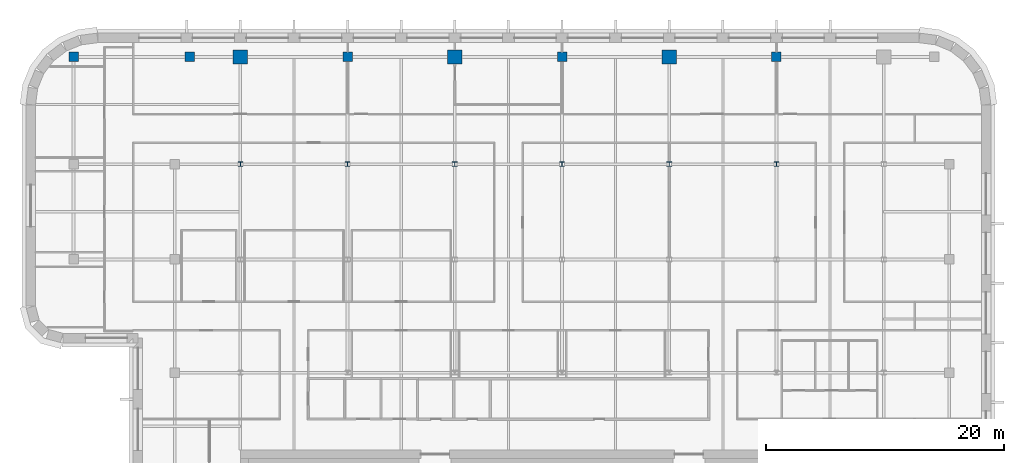
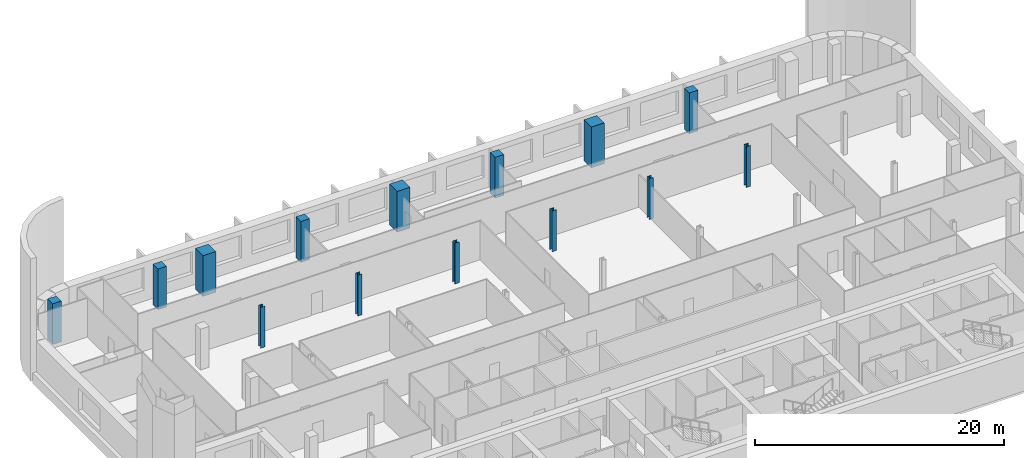
# One storey, part 3 of 17: 14 columns.
"""IFC4 building model written with IfcOpenShell, lengths in metres."""

from ifc_helpers import new_model, si_unit, direction, frame, origin, origin_2d, place, context, subcontext, project, spatial, rectangle, i_section, extrude, material, material_profile, profile_set, type_object, element, save


model = new_model("IFC4")

# Units and contexts
model_context = context("Model", 3, precision=1e-05, world=origin(), true_north=direction((0.0, 1.0)))
body_context = subcontext(model_context, "Body", "Model", "MODEL_VIEW")
ifc_project = project(units=[si_unit("LENGTHUNIT", "METRE"), si_unit("AREAUNIT", "SQUARE_METRE"), si_unit("VOLUMEUNIT", "CUBIC_METRE"), si_unit("PLANEANGLEUNIT", "RADIAN"), si_unit("MASSUNIT", "GRAM", prefix="KILO")], contexts=[model_context])

# Site, building, storey
site_placement = place(None, origin())
site = spatial("IfcSite", under=ifc_project, at=site_placement, CompositionType="ELEMENT")
building_placement = place(site_placement, origin())
building = spatial("IfcBuilding", under=site, at=building_placement, Name="Zellij Exchange Tower", CompositionType="ELEMENT")
storey_placement = place(building_placement, frame((0.0, 0.0, 232.5)))
storey = spatial("IfcBuildingStorey", under=building, at=storey_placement, Name="L54", CompositionType="ELEMENT", Elevation=232.5)

# Columns
ifc_material_1 = material(Name="Concrete C50/60", Category="concrete")
ifc_material_profile_1 = material_profile(ifc_material_1, rectangle(XDim=0.800048828125, YDim=0.800048828125, at=origin_2d()), Name="STR-COLUMN RC800x800 C50/60")
ifc_profile_set_1 = profile_set([ifc_material_profile_1], Name="Concrete C50/60")
column_type_1 = type_object("IfcColumnType", Name="STR-COLUMN RC800x800 C50/60", PredefinedType="COLUMN", material=ifc_profile_set_1)
for number, where, z_axis, x_axis, name in (
    (1, (-41.0, 31.0, 0.0), (0.0, 0.0, 1.0), (1.0, 0.0, 0.0), "C15"),
    (2, (-31.25, 31.0, 0.0), (0.0, 0.0, 1.0), (1.0, 0.0, 0.0), "C15"),
    (3, (-18.0, 31.0, 0.0), (0.0, 0.0, 1.0), (1.0, 0.0, 0.0), "C15"),
    (4, (0.0, 31.0, 0.0), (0.0, 0.0, 1.0), (1.0, 0.0, 0.0), "C15"),
    (5, (18.0, 31.0, 0.0), (0.0, 0.0, 1.0), (1.0, 0.0, 0.0), "C15"),
):
    element("IfcColumn", number, at=place(storey_placement, frame(where, z_axis=z_axis, x_axis=x_axis)), inside=storey, type_object=column_type_1, Name=name, PredefinedType="COLUMN", context=body_context, shape_type="SweptSolid", body=[
        extrude(rectangle(XDim=0.800048828125, YDim=0.800048828125, at=origin_2d()), origin(), (0.0, 0.0, 1.0), 4.0),
    ])
ifc_material_2 = material(Name="Structural steel ASTM A992 Gr 50", Category="steel")
ifc_material_profile_2 = material_profile(ifc_material_2, i_section(OverallWidth=0.398681640625, OverallDepth=0.385986328125, WebThickness=0.02099609375, FlangeThickness=0.033203125, at=origin_2d()), Name="W14x176")
ifc_profile_set_2 = profile_set([ifc_material_profile_2], Name="Structural steel ASTM A992 Gr 50")
column_type_2 = type_object("IfcColumnType", Name="STR-COLUMN W14x176", PredefinedType="COLUMN", material=ifc_profile_set_2)
for number, where, z_axis, x_axis, name in (
    (6, (-27.0, 22.0, 0.0), (0.0, 0.0, 1.0), (1.0, 0.0, 0.0), "C2"),
    (7, (-18.0, 22.0, 0.0), (0.0, 0.0, 1.0), (1.0, 0.0, 0.0), "C2"),
    (8, (-9.0, 22.0, 0.0), (0.0, 0.0, 1.0), (1.0, 0.0, 0.0), "C2"),
    (9, (0.0, 22.0, 0.0), (0.0, 0.0, 1.0), (1.0, 0.0, 0.0), "C2"),
    (10, (9.0, 22.0, 0.0), (0.0, 0.0, 1.0), (1.0, 0.0, 0.0), "C2"),
    (11, (18.0, 22.0, 0.0), (0.0, 0.0, 1.0), (1.0, 0.0, 0.0), "C2"),
):
    element("IfcColumn", number, at=place(storey_placement, frame(where, z_axis=z_axis, x_axis=x_axis)), inside=storey, type_object=column_type_2, Name=name, PredefinedType="COLUMN", context=body_context, shape_type="SweptSolid", body=[
        extrude(i_section(OverallWidth=0.398681640625, OverallDepth=0.385986328125, WebThickness=0.02099609375, FlangeThickness=0.033203125, at=origin_2d()), origin(), (0.0, 0.0, 1.0), 4.0),
    ])
ifc_material_profile_3 = material_profile(ifc_material_1, rectangle(XDim=1.199951171875, YDim=1.199951171875, at=origin_2d()), Name="STR-MEGA COLUMN RC1200x1200 C50/60")
ifc_profile_set_3 = profile_set([ifc_material_profile_3], Name="Concrete C50/60")
column_type_3 = type_object("IfcColumnType", Name="STR-MEGA COLUMN RC1200x1200 C50/60", PredefinedType="COLUMN", material=ifc_profile_set_3)
for number, where, z_axis, x_axis, name in (
    (12, (-27.0, 31.0, 0.0), (0.0, 0.0, 1.0), (1.0, 0.0, 0.0), "MC2"),
    (13, (-9.0, 31.0, 0.0), (0.0, 0.0, 1.0), (1.0, 0.0, 0.0), "MC2"),
    (14, (9.0, 31.0, 0.0), (0.0, 0.0, 1.0), (1.0, 0.0, 0.0), "MC2"),
):
    element("IfcColumn", number, at=place(storey_placement, frame(where, z_axis=z_axis, x_axis=x_axis)), inside=storey, type_object=column_type_3, Name=name, PredefinedType="COLUMN", context=body_context, shape_type="SweptSolid", body=[
        extrude(rectangle(XDim=1.199951171875, YDim=1.199951171875, at=origin_2d()), origin(), (0.0, 0.0, 1.0), 4.0),
    ])

save(model, "model.ifc")
